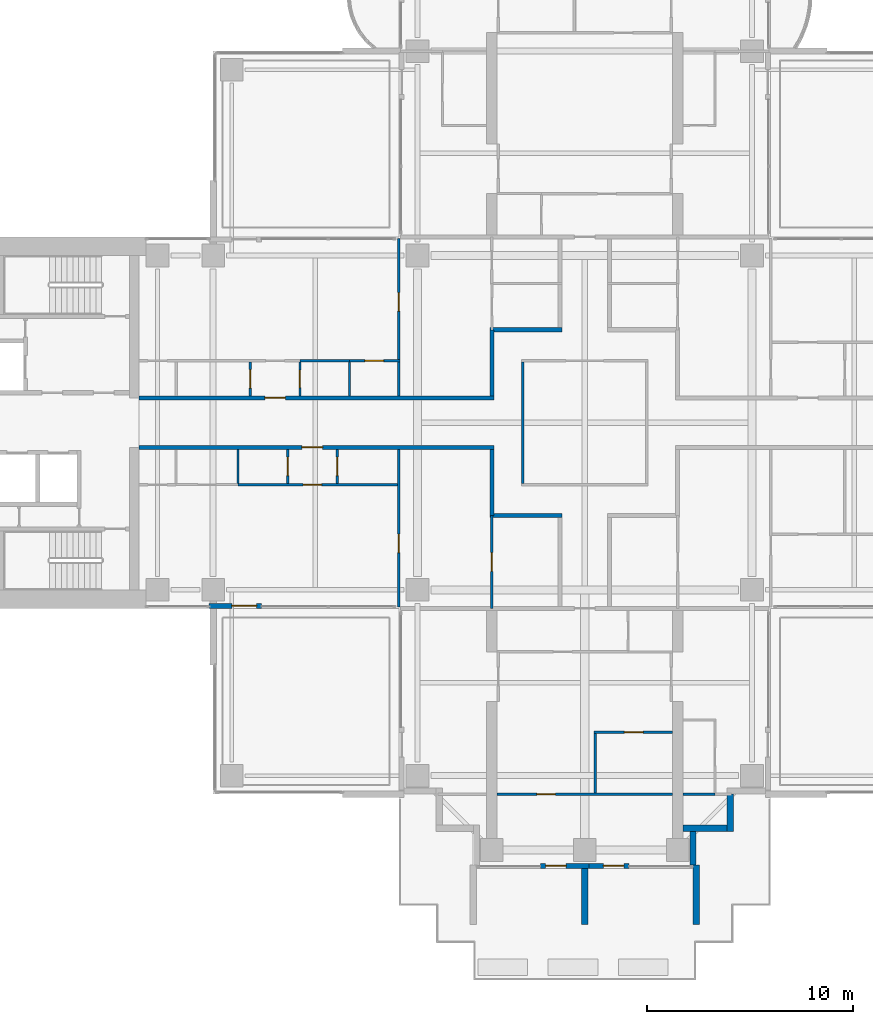
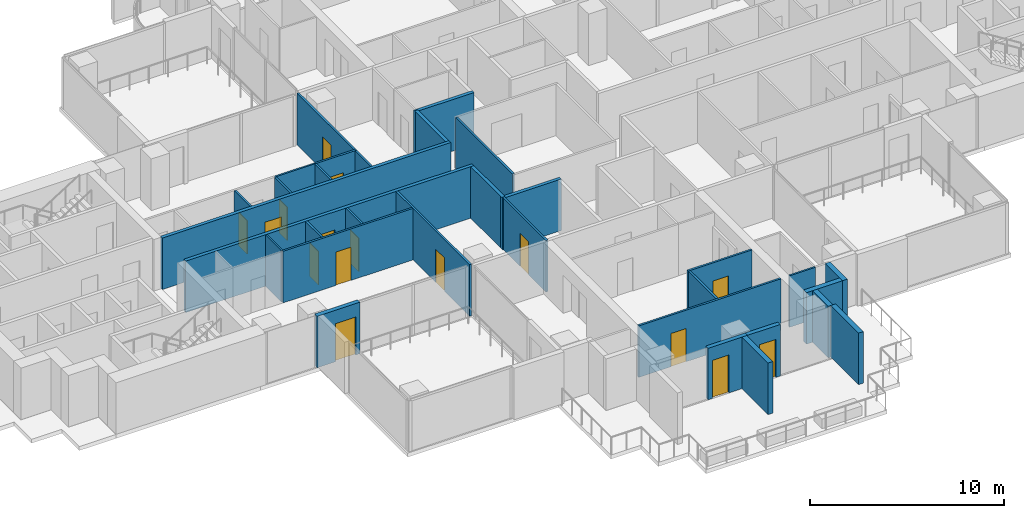
# One storey, part 11 of 20: 31 walls, 16 doors, 16 openings.
"""IFC4 building model written with IfcOpenShell, lengths in metres."""

import ifcopenshell
import ifcopenshell.guid

model = None  # the IFC model being written
_history = None  # IfcOwnerHistory: only IFC2X3 demands one
_inside = {}  # id of a spatial element -> (the spatial element, [elements in it])
_under = {}  # id of a project, library or spatial element -> (it, [spatial elements below it])
_declared = {}  # id of a project -> (the project, [libraries it declares])
_typed = {}  # id of a type object -> (the type object, [elements of that type])
_made_of = {}  # id of a material, layer set ... -> (it, [elements and type objects made of it])


def new_model(schema):
    """Start an empty IFC model of exactly this schema.

    Asked for "IFC4X3", IfcOpenShell would pick the latest addendum, in which some entities
    have other attributes; the version numbers below select the first issue.
    IFC2X3 requires an IfcOwnerHistory on every rooted entity: one is made here for all.
    """
    global model, _history
    if schema == "IFC4X3":
        model = ifcopenshell.file(schema_version=(4, 3, 0, 0))
    else:
        model = ifcopenshell.file(schema=schema)
    _inside.clear()
    _under.clear()
    _declared.clear()
    _typed.clear()
    _made_of.clear()
    _history = None
    if model.schema == "IFC2X3":
        org = make("IfcOrganization", Name="unknown")
        user = make(
            "IfcPersonAndOrganization",
            ThePerson=make("IfcPerson", FamilyName="unknown"),
            TheOrganization=org,
        )
        app = make(
            "IfcApplication",
            ApplicationDeveloper=org,
            Version="unknown",
            ApplicationFullName="unknown",
            ApplicationIdentifier="unknown",
        )
        _history = make(
            "IfcOwnerHistory",
            OwningUser=user,
            OwningApplication=app,
            ChangeAction="ADDED",
            CreationDate=0,
        )
    return model


def make(cls, **values):
    """One entity of the class cls with the attributes given. An attribute that is None is left unset."""
    return model.create_entity(
        cls, **{name: value for name, value in values.items() if value is not None}
    )


def rooted(cls, **values):
    """An entity with a GlobalId (a new one), such as an element, a storey or a relation."""
    return make(cls, GlobalId=ifcopenshell.guid.new(), OwnerHistory=_history, **values)


def si_unit(unit_type, name, prefix=None):
    """IfcSIUnit, for example si_unit("LENGTHUNIT", "METRE", prefix="MILLI")."""
    return make("IfcSIUnit", UnitType=unit_type, Prefix=prefix, Name=name)


def assignment(units):
    """IfcUnitAssignment: the units of a project."""
    return None if units is None else make("IfcUnitAssignment", Units=units)


def point(xyz):
    """IfcCartesianPoint."""
    return None if xyz is None else make("IfcCartesianPoint", Coordinates=xyz)


def direction(xyz):
    """IfcDirection."""
    return None if xyz is None else make("IfcDirection", DirectionRatios=xyz)


def frame(location, z_axis=None, x_axis=None):
    """IfcAxis2Placement3D, a coordinate frame: its origin and axes. An axis left out is left unset."""
    return make(
        "IfcAxis2Placement3D",
        Location=point(location),
        Axis=direction(z_axis),
        RefDirection=direction(x_axis),
    )


def frame_2d(location, x_axis=None):
    """IfcAxis2Placement2D, a coordinate frame in the plane: its origin and x axis."""
    return make(
        "IfcAxis2Placement2D", Location=point(location), RefDirection=direction(x_axis)
    )


def origin():
    """The frame at (0, 0, 0) with its axes left unset."""
    return frame((0.0, 0.0, 0.0))


def place(relative_to, where):
    """IfcLocalPlacement: puts the frame where relative to a parent placement (None: the world)."""
    return make(
        "IfcLocalPlacement", PlacementRelTo=relative_to, RelativePlacement=where
    )


def context(
    kind, dimensions, precision=None, world=None, true_north=None, identifier=None
):
    """IfcGeometricRepresentationContext, for example the 3D "Model" context."""
    return make(
        "IfcGeometricRepresentationContext",
        ContextIdentifier=identifier,
        ContextType=kind,
        CoordinateSpaceDimension=dimensions,
        Precision=precision,
        WorldCoordinateSystem=world,
        TrueNorth=true_north,
    )


def subcontext(parent, identifier, kind, view, scale=None):
    """IfcGeometricRepresentationSubContext, for example "Body" below "Model"."""
    return make(
        "IfcGeometricRepresentationSubContext",
        ContextIdentifier=identifier,
        ContextType=kind,
        ParentContext=parent,
        TargetScale=scale,
        TargetView=view,
    )


def project(units=None, contexts=None):
    """IfcProject with its units and contexts."""
    return rooted(
        "IfcProject",
        Name="project",
        RepresentationContexts=contexts,
        UnitsInContext=assignment(units),
    )


def spatial(cls, under=None, at=None, **own):
    """A site, building, storey or space (cls), placed at a placement, below another one or the project."""
    s = rooted(cls, ObjectPlacement=at, **own)
    if under is not None:
        _under.setdefault(under.id(), (under, []))[1].append(s)
    return s


def profile(cls, at=None, kind="AREA", **sizes):
    """A parametric profile (cls). Its sizes go by their IFC names, for example OverallWidth=200.0."""
    return make(cls, ProfileType=kind, Position=at, **sizes)


def rectangle(**sizes):
    """IfcRectangleProfileDef."""
    return profile("IfcRectangleProfileDef", **sizes)


def extrude(swept, where, along, depth):
    """IfcExtrudedAreaSolid: the profile swept, set in the frame where, extruded along a direction by depth."""
    return make(
        "IfcExtrudedAreaSolid",
        SweptArea=swept,
        Position=where,
        ExtrudedDirection=direction(along),
        Depth=depth,
    )


def shape(context_of_items, identifier, shape_type, items):
    """IfcShapeRepresentation: the items that make up one representation, for example the "Body"."""
    return make(
        "IfcShapeRepresentation",
        ContextOfItems=context_of_items,
        RepresentationIdentifier=identifier,
        RepresentationType=shape_type,
        Items=items,
    )


def material(Name=None, Category=None):
    """IfcMaterial."""
    return make("IfcMaterial", Name=Name, Category=Category)


def layer(
    of_material, thickness, ventilated=None, Name=None, Category=None, Priority=None
):
    """IfcMaterialLayer: one layer of a wall or slab, of a material (None: an air gap)."""
    return make(
        "IfcMaterialLayer",
        Material=of_material,
        LayerThickness=thickness,
        IsVentilated=ventilated,
        Name=Name,
        Category=Category,
        Priority=Priority,
    )


def layer_set(layers, Name=None):
    """IfcMaterialLayerSet."""
    return make("IfcMaterialLayerSet", MaterialLayers=layers, LayerSetName=Name)


def made_of(thing, what):
    """Note that an element or type object is made of a material, layer set ...; save() writes the relation."""
    if what is not None:
        _made_of.setdefault(what.id(), (what, []))[1].append(thing)
    return thing


def type_object(cls, material=None, **own):
    """A type object (cls), such as IfcWallType, which elements share."""
    return made_of(rooted(cls, **own), material)


def element(
    cls,
    number,
    at=None,
    inside=None,
    cuts=None,
    type_object=None,
    material=None,
    context=None,
    identifier="Body",
    shape_type=None,
    held_by="IfcProductDefinitionShape",
    body=None,
    shapes=None,
    **own,
):
    """One element of the class cls, such as IfcWall. Its Tag is "e" and its number.

    at: its placement. inside: the storey or other place that contains it. cuts: it is an
    opening in that element (IfcRelVoidsElement). A single representation is given by context,
    identifier, shape_type and body (its items); several are given by shapes. held_by: the class
    of the entity that holds the representations. save() writes the other relations.
    """
    e = rooted(cls, Tag="e%d" % number, ObjectPlacement=at, **own)
    if body is not None:
        shapes = [shape(context, identifier, shape_type, body)]
    if shapes is not None:
        e.Representation = make(held_by, Representations=shapes)
    if inside is not None:
        _inside.setdefault(inside.id(), (inside, []))[1].append(e)
    if cuts is not None:
        rooted(
            "IfcRelVoidsElement", RelatingBuildingElement=cuts, RelatedOpeningElement=e
        )
    if type_object is not None:
        _typed.setdefault(type_object.id(), (type_object, []))[1].append(e)
    return made_of(e, material)


def fill(opening, filler):
    """IfcRelFillsElement: the door or window that sits in an opening."""
    return rooted(
        "IfcRelFillsElement",
        RelatingOpeningElement=opening,
        RelatedBuildingElement=filler,
    )


def aggregate(whole, parts):
    """IfcRelAggregates: a whole, such as a stair, and the parts it consists of."""
    return rooted("IfcRelAggregates", RelatingObject=whole, RelatedObjects=parts)


def save(model, path):
    """Write the relations noted so far, then the file.

    IfcRelAggregates (storeys below a building ...), IfcRelContainedInSpatialStructure (elements
    in a storey), IfcRelDefinesByType, IfcRelAssociatesMaterial and IfcRelDeclares: one each for
    every whole, place, type object, material and project.
    """
    for whole, parts in _under.values():
        aggregate(whole, parts)
    for where, things in _inside.values():
        rooted(
            "IfcRelContainedInSpatialStructure",
            RelatedElements=things,
            RelatingStructure=where,
        )
    for kind, things in _typed.values():
        rooted("IfcRelDefinesByType", RelatedObjects=things, RelatingType=kind)
    for what, things in _made_of.values():
        rooted("IfcRelAssociatesMaterial", RelatedObjects=things, RelatingMaterial=what)
    for by, libraries in _declared.values():
        rooted("IfcRelDeclares", RelatingContext=by, RelatedDefinitions=libraries)
    model.write(path)


model = new_model("IFC4")

# Units and contexts
model_context = context("Model", 3, precision=1e-05, world=origin(), true_north=direction((0.0, 1.0)))
body_context = subcontext(model_context, "Body", "Model", "MODEL_VIEW")
ifc_project = project(units=[si_unit("LENGTHUNIT", "METRE"), si_unit("AREAUNIT", "SQUARE_METRE"), si_unit("VOLUMEUNIT", "CUBIC_METRE"), si_unit("PLANEANGLEUNIT", "RADIAN"), si_unit("MASSUNIT", "GRAM", prefix="KILO")], contexts=[model_context])

# Site, building, storey
site_placement = place(None, origin())
site = spatial("IfcSite", under=ifc_project, at=site_placement, CompositionType="ELEMENT")
building_placement = place(site_placement, origin())
building = spatial("IfcBuilding", under=site, at=building_placement, Name="Perihelion Cross Residences", CompositionType="ELEMENT")
storey_placement = place(building_placement, frame((0.0, 0.0, 102.39990234375)))
storey = spatial("IfcBuildingStorey", under=building, at=storey_placement, Name="L23", CompositionType="ELEMENT", Elevation=102.39990234375)

# Wall, opening, door
ifc_material_1 = material(Name="Plasterboard partition")
ifc_layer_1 = layer(ifc_material_1, 0.199951171875)
ifc_layer_set_1 = layer_set([ifc_layer_1], Name="Apartment separation wall 200")
wall_type_1 = type_object("IfcWallType", Name="Apartment separation wall 200", PredefinedType="PARTITIONING", material=ifc_layer_set_1)
wall_1_placement = place(storey_placement, frame((-21.60009765625, 1.199951171875, 0.0), z_axis=(0.0, 0.0, 1.0), x_axis=(1.0, 0.0, 0.0)))
wall_1 = element("IfcWall", 1, at=wall_1_placement, inside=storey, type_object=wall_type_1, Name="Partition L23 W013", PredefinedType="PARTITIONING", context=body_context, shape_type="SweptSolid", body=[
    extrude(rectangle(XDim=17.2001953125, YDim=0.199951171875, at=frame_2d((8.60009765625, 0.0))), origin(), (0.0, 0.0, 1.0), 3.25),
])
opening_1_placement = place(wall_1_placement, frame((6.10009765625, 0.0, 0.0)))
opening_1 = element("IfcOpeningElement", 2, at=opening_1_placement, cuts=wall_1, Name="Opening L23.A48", PredefinedType="OPENING", context=body_context, shape_type="SweptSolid", body=[
    extrude(rectangle(XDim=1.0, YDim=2.10009765625, at=frame_2d((0.5, 1.050048828125))), frame((0.0, 0.10986328125, 0.0), z_axis=(0.0, -1.0, 0.0), x_axis=(1.0, 0.0, 0.0)), (0.0, 0.0, 1.0), 0.219970703125),
])
ifc_material_2 = material(Name="Timber door leaf", Category="wood")
door_type_1 = type_object("IfcDoorType", Name="Flat entrance door 1000 x 2100", OperationType="SINGLE_SWING_LEFT", PredefinedType="DOOR", material=ifc_material_2)
door_1_placement = place(opening_1_placement, origin())
door_1 = element("IfcDoor", 3, at=door_1_placement, inside=storey, type_object=door_type_1, Name="Door L23.A48", OperationType="SINGLE_SWING_RIGHT", OverallHeight=2.10009765625, OverallWidth=1.0, PredefinedType="DOOR", context=body_context, shape_type="SweptSolid", body=[
    extrude(rectangle(XDim=1.0, YDim=2.10009765625, at=frame_2d((0.5, 1.050048828125))), frame((0.0, 0.02490234375, 0.0), z_axis=(0.0, -1.0, 0.0), x_axis=(1.0, 0.0, 0.0)), (0.0, 0.0, 1.0), 0.050048828125),
])
fill(opening_1, door_1)

# Walls
wall_2_placement = place(storey_placement, frame((-4.5, 1.300048828125, 0.0), z_axis=(0.0, 0.0, 1.0), x_axis=(0.0, 1.0, 0.0)))
element("IfcWall", 4, at=wall_2_placement, inside=storey, type_object=wall_type_1, Name="Partition L23 W014", PredefinedType="PARTITIONING", context=body_context, shape_type="SweptSolid", body=[
    extrude(rectangle(XDim=3.199951171875, YDim=0.199951171875, at=frame_2d((1.60009765625, 0.0))), origin(), (0.0, 0.0, 1.0), 3.25),
])
wall_3_placement = place(storey_placement, frame((-4.60009765625, 4.5, 0.0), z_axis=(0.0, 0.0, 1.0), x_axis=(1.0, 0.0, 0.0)))
element("IfcWall", 5, at=wall_3_placement, inside=storey, type_object=wall_type_1, Name="Partition L23 W015", PredefinedType="PARTITIONING", context=body_context, shape_type="SweptSolid", body=[
    extrude(rectangle(XDim=3.5, YDim=0.199951171875, at=frame_2d((1.75, 0.0))), origin(), (0.0, 0.0, 1.0), 3.25),
])

# Wall, opening, door
wall_4_placement = place(storey_placement, frame((-4.39990234375, -1.199951171875, 0.0), z_axis=(0.0, 0.0, 1.0), x_axis=(-1.0, 0.0, 0.0)))
wall_4 = element("IfcWall", 6, at=wall_4_placement, inside=storey, type_object=wall_type_1, Name="Partition L23 W017", PredefinedType="PARTITIONING", context=body_context, shape_type="SweptSolid", body=[
    extrude(rectangle(XDim=17.2001953125, YDim=0.199951171875, at=frame_2d((8.60009765625, 0.0))), origin(), (0.0, 0.0, 1.0), 3.25),
])
opening_2_placement = place(wall_4_placement, frame((8.300048828125, 0.0, 0.0)))
opening_2 = element("IfcOpeningElement", 7, at=opening_2_placement, cuts=wall_4, Name="Opening L23.A49", PredefinedType="OPENING", context=body_context, shape_type="SweptSolid", body=[
    extrude(rectangle(XDim=1.0, YDim=2.10009765625, at=frame_2d((0.5, 1.050048828125))), frame((0.0, 0.10986328125, 0.0), z_axis=(0.0, -1.0, 0.0), x_axis=(1.0, 0.0, 0.0)), (0.0, 0.0, 1.0), 0.219970703125),
])
door_2_placement = place(opening_2_placement, origin())
door_2 = element("IfcDoor", 8, at=door_2_placement, inside=storey, type_object=door_type_1, Name="Door L23.A49", OperationType="SINGLE_SWING_RIGHT", OverallHeight=2.10009765625, OverallWidth=1.0, PredefinedType="DOOR", context=body_context, shape_type="SweptSolid", body=[
    extrude(rectangle(XDim=1.0, YDim=2.10009765625, at=frame_2d((0.5, 1.050048828125))), frame((0.0, 0.02490234375, 0.0), z_axis=(0.0, -1.0, 0.0), x_axis=(1.0, 0.0, 0.0)), (0.0, 0.0, 1.0), 0.050048828125),
])
fill(opening_2, door_2)

# Walls
wall_5_placement = place(storey_placement, frame((-4.5, -4.5, 0.0), z_axis=(0.0, 0.0, 1.0), x_axis=(0.0, 1.0, 0.0)))
element("IfcWall", 9, at=wall_5_placement, inside=storey, type_object=wall_type_1, Name="Partition L23 W018", PredefinedType="PARTITIONING", context=body_context, shape_type="SweptSolid", body=[
    extrude(rectangle(XDim=3.199951171875, YDim=0.199951171875, at=frame_2d((1.60009765625, 0.0))), origin(), (0.0, 0.0, 1.0), 3.25),
])
wall_6_placement = place(storey_placement, frame((-1.10009765625, -4.5, 0.0), z_axis=(0.0, 0.0, 1.0), x_axis=(-1.0, 0.0, 0.0)))
element("IfcWall", 10, at=wall_6_placement, inside=storey, type_object=wall_type_1, Name="Partition L23 W020", PredefinedType="PARTITIONING", context=body_context, shape_type="SweptSolid", body=[
    extrude(rectangle(XDim=3.5, YDim=0.199951171875, at=frame_2d((1.75, 0.0))), origin(), (0.0, 0.0, 1.0), 3.25),
])

# Wall, opening, door
ifc_material_3 = material(Name="Concrete C30/37, bronze-clad", Category="concrete")
ifc_layer_2 = layer(ifc_material_3, 0.25)
ifc_layer_set_2 = layer_set([ifc_layer_2], Name="Bronze-clad pier wall 250")
wall_type_2 = type_object("IfcWallType", Name="Bronze-clad pier wall 250", PredefinedType="SOLIDWALL", material=ifc_layer_set_2)
wall_7_placement = place(storey_placement, frame((-18.199951171875, -8.875, 0.0), z_axis=(0.0, 0.0, 1.0), x_axis=(1.0, 0.0, 0.0)))
wall_7 = element("IfcWall", 11, at=wall_7_placement, inside=storey, type_object=wall_type_2, Name="Wall FW1 L23 west side south bay 2 pier", PredefinedType="SOLIDWALL", context=body_context, shape_type="SweptSolid", body=[
    extrude(rectangle(XDim=2.550048828125, YDim=0.25, at=frame_2d((1.27490234375, 0.0))), origin(), (0.0, 0.0, 1.0), 3.25),
])
opening_3_placement = place(wall_7_placement, frame((1.10009765625, 0.0, 0.0)))
opening_3 = element("IfcOpeningElement", 12, at=opening_3_placement, cuts=wall_7, Name="Opening L23.E09", PredefinedType="OPENING", context=body_context, shape_type="SweptSolid", body=[
    extrude(rectangle(XDim=1.199951171875, YDim=2.39990234375, at=frame_2d((0.60009765625, 1.199951171875))), frame((0.0, 0.135009765625, 0.0), z_axis=(0.0, -1.0, 0.0), x_axis=(1.0, 0.0, 0.0)), (0.0, 0.0, 1.0), 0.27001953125),
])
ifc_material_4 = material(Name="Bronze anodised aluminium, glazed", Category="aluminium")
door_type_2 = type_object("IfcDoorType", Name="Balcony door 1200 x 2400", OperationType="NOTDEFINED", PredefinedType="DOOR", material=ifc_material_4)
door_3_placement = place(opening_3_placement, origin())
door_3 = element("IfcDoor", 13, at=door_3_placement, inside=storey, type_object=door_type_2, Name="Door L23.E09 west side south bay 2", OperationType="SINGLE_SWING_RIGHT", OverallHeight=2.39990234375, OverallWidth=1.199951171875, PredefinedType="DOOR", context=body_context, shape_type="SweptSolid", body=[
    extrude(rectangle(XDim=1.199951171875, YDim=2.39990234375, at=frame_2d((0.60009765625, 1.199951171875))), frame((0.0, 0.02490234375, 0.0), z_axis=(0.0, -1.0, 0.0), x_axis=(1.0, 0.0, 0.0)), (0.0, 0.0, 1.0), 0.050048828125),
])
fill(opening_3, door_3)

wall_8_placement = place(storey_placement, frame((-2.14990234375, -21.47509765625, 0.0), z_axis=(0.0, 0.0, 1.0), x_axis=(1.0, 0.0, 0.0)))
wall_8 = element("IfcWall", 14, at=wall_8_placement, inside=storey, type_object=wall_type_2, Name="Wall FW1 L23 south tip south bay 1 pier", PredefinedType="SOLIDWALL", context=body_context, shape_type="SweptSolid", body=[
    extrude(rectangle(XDim=2.349853515625, YDim=0.25, at=frame_2d((1.1748046875, 0.0))), origin(), (0.0, 0.0, 1.0), 3.25),
])
opening_4_placement = place(wall_8_placement, frame((0.25, 0.0, 0.0)))
opening_4 = element("IfcOpeningElement", 15, at=opening_4_placement, cuts=wall_8, Name="Opening L23.E11", PredefinedType="OPENING", context=body_context, shape_type="SweptSolid", body=[
    extrude(rectangle(XDim=1.0, YDim=2.39990234375, at=frame_2d((0.5, 1.199951171875))), frame((0.0, 0.135009765625, 0.0), z_axis=(0.0, -1.0, 0.0), x_axis=(1.0, 0.0, 0.0)), (0.0, 0.0, 1.0), 0.27001953125),
])
ifc_material_5 = material(Name="Bronze anodised aluminium, glazed", Category="aluminium")
door_type_3 = type_object("IfcDoorType", Name="Balcony door 1000 x 2400", OperationType="NOTDEFINED", PredefinedType="DOOR", material=ifc_material_5)
door_4_placement = place(opening_4_placement, origin())
door_4 = element("IfcDoor", 16, at=door_4_placement, inside=storey, type_object=door_type_3, Name="Door L23.E11 south tip south bay 1", OperationType="SINGLE_SWING_RIGHT", OverallHeight=2.39990234375, OverallWidth=1.0, PredefinedType="DOOR", context=body_context, shape_type="SweptSolid", body=[
    extrude(rectangle(XDim=1.0, YDim=2.39990234375, at=frame_2d((0.5, 1.199951171875))), frame((0.0, 0.02490234375, 0.0), z_axis=(0.0, -1.0, 0.0), x_axis=(1.0, 0.0, 0.0)), (0.0, 0.0, 1.0), 0.050048828125),
])
fill(opening_4, door_4)

wall_9_placement = place(storey_placement, frame((0.199951171875, -21.47509765625, 0.0), z_axis=(0.0, 0.0, 1.0), x_axis=(1.0, 0.0, 0.0)))
wall_9 = element("IfcWall", 17, at=wall_9_placement, inside=storey, type_object=wall_type_2, Name="Wall FW1 L23 south tip south bay 2 pier", PredefinedType="SOLIDWALL", context=body_context, shape_type="SweptSolid", body=[
    extrude(rectangle(XDim=1.949951171875, YDim=0.25, at=frame_2d((0.97509765625, 0.0))), origin(), (0.0, 0.0, 1.0), 3.25),
])
opening_5_placement = place(wall_9_placement, frame((0.699951171875, 0.0, 0.0)))
opening_5 = element("IfcOpeningElement", 18, at=opening_5_placement, cuts=wall_9, Name="Opening L23.E12", PredefinedType="OPENING", context=body_context, shape_type="SweptSolid", body=[
    extrude(rectangle(XDim=1.0, YDim=2.39990234375, at=frame_2d((0.5, 1.199951171875))), frame((0.0, 0.135009765625, 0.0), z_axis=(0.0, -1.0, 0.0), x_axis=(1.0, 0.0, 0.0)), (0.0, 0.0, 1.0), 0.27001953125),
])
door_5_placement = place(opening_5_placement, origin())
door_5 = element("IfcDoor", 19, at=door_5_placement, inside=storey, type_object=door_type_3, Name="Door L23.E12 south tip south bay 2", OperationType="SINGLE_SWING_LEFT", OverallHeight=2.39990234375, OverallWidth=1.0, PredefinedType="DOOR", context=body_context, shape_type="SweptSolid", body=[
    extrude(rectangle(XDim=1.0, YDim=2.39990234375, at=frame_2d((0.5, 1.199951171875))), frame((0.0, 0.02490234375, 0.0), z_axis=(0.0, -1.0, 0.0), x_axis=(1.0, 0.0, 0.0)), (0.0, 0.0, 1.0), 0.050048828125),
])
fill(opening_5, door_5)

# Walls
ifc_material_6 = material(Name="Concrete C30/37, bronze-clad", Category="concrete")
ifc_layer_3 = layer(ifc_material_6, 0.300048828125)
ifc_layer_set_3 = layer_set([ifc_layer_3], Name="Bronze-clad serration wall 300")
wall_type_3 = type_object("IfcWallType", Name="Bronze-clad serration wall 300", PredefinedType="SOLIDWALL", material=ifc_layer_set_3)
wall_10_placement = place(storey_placement, frame((5.25, -21.419921875, 0.0), z_axis=(0.0, 0.0, 1.0), x_axis=(0.0, 1.0, 0.0)))
element("IfcWall", 20, at=wall_10_placement, inside=storey, type_object=wall_type_3, Name="Wall SR1 L23 south corner south-east 1", PredefinedType="SOLIDWALL", context=body_context, shape_type="SweptSolid", body=[
    extrude(rectangle(XDim=1.619873046875, YDim=0.300048828125, at=frame_2d((0.81005859375, 0.0))), origin(), (0.0, 0.0, 1.0), 3.25),
])
wall_11_placement = place(storey_placement, frame((4.75, -19.64990234375, 0.0), z_axis=(0.0, 0.0, 1.0), x_axis=(1.0, 0.0, 0.0)))
element("IfcWall", 21, at=wall_11_placement, inside=storey, type_object=wall_type_3, Name="Wall SR1 L23 south corner south-east 2", PredefinedType="SOLIDWALL", context=body_context, shape_type="SweptSolid", body=[
    extrude(rectangle(XDim=2.14990234375, YDim=0.300048828125, at=frame_2d((1.074951171875, 0.0))), origin(), (0.0, 0.0, 1.0), 3.25),
])
wall_12_placement = place(storey_placement, frame((7.050048828125, -19.800048828125, 0.0), z_axis=(0.0, 0.0, 1.0), x_axis=(0.0, 1.0, 0.0)))
element("IfcWall", 22, at=wall_12_placement, inside=storey, type_object=wall_type_3, Name="Wall SR1 L23 south corner south-east 3", PredefinedType="SOLIDWALL", context=body_context, shape_type="SweptSolid", body=[
    extrude(rectangle(XDim=1.800048828125, YDim=0.300048828125, at=frame_2d((0.89990234375, 0.0))), origin(), (0.0, 0.0, 1.0), 3.25),
])
ifc_material_7 = material(Name="Plasterboard partition")
ifc_layer_4 = layer(ifc_material_7, 0.1201171875)
ifc_layer_set_4 = layer_set([ifc_layer_4], Name="Partition wall 120")
wall_type_4 = type_object("IfcWallType", Name="Partition wall 120", PredefinedType="PARTITIONING", material=ifc_layer_set_4)
wall_13_placement = place(storey_placement, frame((-3.0, 2.93994140625, 0.0), z_axis=(0.0, 0.0, 1.0), x_axis=(0.0, -1.0, 0.0)))
element("IfcWall", 23, at=wall_13_placement, inside=storey, type_object=wall_type_4, Name="Partition L23 W004", PredefinedType="PARTITIONING", context=body_context, shape_type="SweptSolid", body=[
    extrude(rectangle(XDim=5.8798828125, YDim=0.1201171875, at=frame_2d((2.93994140625, 0.0))), origin(), (0.0, 0.0, 1.0), 3.25),
])

# Wall, opening, door
wall_14_placement = place(storey_placement, frame((-11.39990234375, 3.0, 0.0), z_axis=(0.0, 0.0, 1.0), x_axis=(1.0, 0.0, 0.0)))
wall_14 = element("IfcWall", 24, at=wall_14_placement, inside=storey, type_object=wall_type_4, Name="Partition L23 W043", PredefinedType="PARTITIONING", context=body_context, shape_type="SweptSolid", body=[
    extrude(rectangle(XDim=2.4599609375, YDim=0.1201171875, at=frame_2d((1.22998046875, 0.0))), origin(), (0.0, 0.0, 1.0), 3.25),
])
opening_6_placement = place(wall_14_placement, frame((0.75, 0.0, 0.0)))
opening_6 = element("IfcOpeningElement", 25, at=opening_6_placement, cuts=wall_14, Name="Opening L23.A24", PredefinedType="OPENING", context=body_context, shape_type="SweptSolid", body=[
    extrude(rectangle(XDim=0.89990234375, YDim=2.10009765625, at=frame_2d((0.449951171875, 1.050048828125))), frame((0.0, 0.070068359375, 0.0), z_axis=(0.0, -1.0, 0.0), x_axis=(1.0, 0.0, 0.0)), (0.0, 0.0, 1.0), 0.14013671875),
])
ifc_material_8 = material(Name="Timber door leaf", Category="wood")
door_type_4 = type_object("IfcDoorType", Name="Interior room door 900 x 2100", OperationType="SINGLE_SWING_LEFT", PredefinedType="DOOR", material=ifc_material_8)
door_6_placement = place(opening_6_placement, origin())
door_6 = element("IfcDoor", 26, at=door_6_placement, inside=storey, type_object=door_type_4, Name="Door L23.A24", OperationType="SINGLE_SWING_RIGHT", OverallHeight=2.10009765625, OverallWidth=0.89990234375, PredefinedType="DOOR", context=body_context, shape_type="SweptSolid", body=[
    extrude(rectangle(XDim=0.89990234375, YDim=2.10009765625, at=frame_2d((0.449951171875, 1.050048828125))), frame((0.0, 0.02490234375, 0.0), z_axis=(0.0, -1.0, 0.0), x_axis=(1.0, 0.0, 0.0)), (0.0, 0.0, 1.0), 0.050048828125),
])
fill(opening_6, door_6)

wall_15_placement = place(storey_placement, frame((-9.0, 8.919921875, 0.0), z_axis=(0.0, 0.0, 1.0), x_axis=(0.0, -1.0, 0.0)))
wall_15 = element("IfcWall", 27, at=wall_15_placement, inside=storey, type_object=wall_type_4, Name="Partition L23 W044", PredefinedType="PARTITIONING", context=body_context, shape_type="SweptSolid", body=[
    extrude(rectangle(XDim=7.619873046875, YDim=0.1201171875, at=frame_2d((3.81005859375, 0.0))), origin(), (0.0, 0.0, 1.0), 3.25),
])
opening_7_placement = place(wall_15_placement, frame((2.6201171875, 0.0, 0.0)))
opening_7 = element("IfcOpeningElement", 28, at=opening_7_placement, cuts=wall_15, Name="Opening L23.A19", PredefinedType="OPENING", context=body_context, shape_type="SweptSolid", body=[
    extrude(rectangle(XDim=0.89990234375, YDim=2.10009765625, at=frame_2d((0.449951171875, 1.050048828125))), frame((0.0, 0.070068359375, 0.0), z_axis=(0.0, -1.0, 0.0), x_axis=(1.0, 0.0, 0.0)), (0.0, 0.0, 1.0), 0.14013671875),
])
door_7_placement = place(opening_7_placement, origin())
door_7 = element("IfcDoor", 29, at=door_7_placement, inside=storey, type_object=door_type_4, Name="Door L23.A19", OperationType="SINGLE_SWING_LEFT", OverallHeight=2.10009765625, OverallWidth=0.89990234375, PredefinedType="DOOR", context=body_context, shape_type="SweptSolid", body=[
    extrude(rectangle(XDim=0.89990234375, YDim=2.10009765625, at=frame_2d((0.449951171875, 1.050048828125))), frame((0.0, 0.02490234375, 0.0), z_axis=(0.0, -1.0, 0.0), x_axis=(1.0, 0.0, 0.0)), (0.0, 0.0, 1.0), 0.050048828125),
])
fill(opening_7, door_7)

wall_16_placement = place(storey_placement, frame((-16.199951171875, 1.300048828125, 0.0), z_axis=(0.0, 0.0, 1.0), x_axis=(0.0, 1.0, 0.0)))
wall_16 = element("IfcWall", 30, at=wall_16_placement, inside=storey, type_object=wall_type_4, Name="Partition L23 W047", PredefinedType="PARTITIONING", context=body_context, shape_type="SweptSolid", body=[
    extrude(rectangle(XDim=1.639892578125, YDim=0.1201171875, at=frame_2d((0.81982421875, 0.0))), origin(), (0.0, 0.0, 1.0), 3.25),
])
opening_8_placement = place(wall_16_placement, frame((0.3701171875, 0.0, 0.0)))
opening_8 = element("IfcOpeningElement", 31, at=opening_8_placement, cuts=wall_16, Name="Opening L23.A20", PredefinedType="OPENING", context=body_context, shape_type="SweptSolid", body=[
    extrude(rectangle(XDim=0.89990234375, YDim=2.10009765625, at=frame_2d((0.449951171875, 1.050048828125))), frame((0.0, 0.070068359375, 0.0), z_axis=(0.0, -1.0, 0.0), x_axis=(1.0, 0.0, 0.0)), (0.0, 0.0, 1.0), 0.14013671875),
])
door_8_placement = place(opening_8_placement, origin())
door_8 = element("IfcDoor", 32, at=door_8_placement, inside=storey, type_object=door_type_4, Name="Door L23.A20", OperationType="SINGLE_SWING_LEFT", OverallHeight=2.10009765625, OverallWidth=0.89990234375, PredefinedType="DOOR", context=body_context, shape_type="SweptSolid", body=[
    extrude(rectangle(XDim=0.89990234375, YDim=2.10009765625, at=frame_2d((0.449951171875, 1.050048828125))), frame((0.0, 0.02490234375, 0.0), z_axis=(0.0, -1.0, 0.0), x_axis=(1.0, 0.0, 0.0)), (0.0, 0.0, 1.0), 0.050048828125),
])
fill(opening_8, door_8)

wall_17_placement = place(storey_placement, frame((-12.0, -2.93994140625, 0.0), z_axis=(0.0, 0.0, 1.0), x_axis=(0.0, 1.0, 0.0)))
wall_17 = element("IfcWall", 33, at=wall_17_placement, inside=storey, type_object=wall_type_4, Name="Partition L23 W053", PredefinedType="PARTITIONING", context=body_context, shape_type="SweptSolid", body=[
    extrude(rectangle(XDim=1.639892578125, YDim=0.1201171875, at=frame_2d((0.81982421875, 0.0))), origin(), (0.0, 0.0, 1.0), 3.25),
])
opening_9_placement = place(wall_17_placement, frame((0.3701171875, 0.0, 0.0)))
opening_9 = element("IfcOpeningElement", 34, at=opening_9_placement, cuts=wall_17, Name="Opening L23.A27", PredefinedType="OPENING", context=body_context, shape_type="SweptSolid", body=[
    extrude(rectangle(XDim=0.89990234375, YDim=2.10009765625, at=frame_2d((0.449951171875, 1.050048828125))), frame((0.0, 0.070068359375, 0.0), z_axis=(0.0, -1.0, 0.0), x_axis=(1.0, 0.0, 0.0)), (0.0, 0.0, 1.0), 0.14013671875),
])
door_9_placement = place(opening_9_placement, origin())
door_9 = element("IfcDoor", 35, at=door_9_placement, inside=storey, type_object=door_type_4, Name="Door L23.A27", OperationType="SINGLE_SWING_RIGHT", OverallHeight=2.10009765625, OverallWidth=0.89990234375, PredefinedType="DOOR", context=body_context, shape_type="SweptSolid", body=[
    extrude(rectangle(XDim=0.89990234375, YDim=2.10009765625, at=frame_2d((0.449951171875, 1.050048828125))), frame((0.0, 0.02490234375, 0.0), z_axis=(0.0, -1.0, 0.0), x_axis=(1.0, 0.0, 0.0)), (0.0, 0.0, 1.0), 0.050048828125),
])
fill(opening_9, door_9)

wall_18_placement = place(storey_placement, frame((-8.93994140625, -3.0, 0.0), z_axis=(0.0, 0.0, 1.0), x_axis=(-1.0, 0.0, 0.0)))
wall_18 = element("IfcWall", 36, at=wall_18_placement, inside=storey, type_object=wall_type_4, Name="Partition L23 W054", PredefinedType="PARTITIONING", context=body_context, shape_type="SweptSolid", body=[
    extrude(rectangle(XDim=7.860107421875, YDim=0.1201171875, at=frame_2d((3.93017578125, 0.0))), origin(), (0.0, 0.0, 1.0), 3.25),
])
opening_10_placement = place(wall_18_placement, frame((3.81005859375, 0.0, 0.0)))
opening_10 = element("IfcOpeningElement", 37, at=opening_10_placement, cuts=wall_18, Name="Opening L23.A29", PredefinedType="OPENING", context=body_context, shape_type="SweptSolid", body=[
    extrude(rectangle(XDim=0.89990234375, YDim=2.10009765625, at=frame_2d((0.449951171875, 1.050048828125))), frame((0.0, 0.070068359375, 0.0), z_axis=(0.0, -1.0, 0.0), x_axis=(1.0, 0.0, 0.0)), (0.0, 0.0, 1.0), 0.14013671875),
])
door_10_placement = place(opening_10_placement, origin())
door_10 = element("IfcDoor", 38, at=door_10_placement, inside=storey, type_object=door_type_4, Name="Door L23.A29", OperationType="SINGLE_SWING_RIGHT", OverallHeight=2.10009765625, OverallWidth=0.89990234375, PredefinedType="DOOR", context=body_context, shape_type="SweptSolid", body=[
    extrude(rectangle(XDim=0.89990234375, YDim=2.10009765625, at=frame_2d((0.449951171875, 1.050048828125))), frame((0.0, 0.02490234375, 0.0), z_axis=(0.0, -1.0, 0.0), x_axis=(1.0, 0.0, 0.0)), (0.0, 0.0, 1.0), 0.050048828125),
])
fill(opening_10, door_10)

wall_19_placement = place(storey_placement, frame((-9.0, -1.300048828125, 0.0), z_axis=(0.0, 0.0, 1.0), x_axis=(0.0, -1.0, 0.0)))
wall_19 = element("IfcWall", 39, at=wall_19_placement, inside=storey, type_object=wall_type_4, Name="Partition L23 W055", PredefinedType="PARTITIONING", context=body_context, shape_type="SweptSolid", body=[
    extrude(rectangle(XDim=7.619873046875, YDim=0.1201171875, at=frame_2d((3.81005859375, 0.0))), origin(), (0.0, 0.0, 1.0), 3.25),
])
opening_11_placement = place(wall_19_placement, frame((4.10009765625, 0.0, 0.0)))
opening_11 = element("IfcOpeningElement", 40, at=opening_11_placement, cuts=wall_19, Name="Opening L23.A30", PredefinedType="OPENING", context=body_context, shape_type="SweptSolid", body=[
    extrude(rectangle(XDim=0.89990234375, YDim=2.10009765625, at=frame_2d((0.449951171875, 1.050048828125))), frame((0.0, 0.070068359375, 0.0), z_axis=(0.0, -1.0, 0.0), x_axis=(1.0, 0.0, 0.0)), (0.0, 0.0, 1.0), 0.14013671875),
])
door_11_placement = place(opening_11_placement, origin())
door_11 = element("IfcDoor", 41, at=door_11_placement, inside=storey, type_object=door_type_4, Name="Door L23.A30", OperationType="SINGLE_SWING_RIGHT", OverallHeight=2.10009765625, OverallWidth=0.89990234375, PredefinedType="DOOR", context=body_context, shape_type="SweptSolid", body=[
    extrude(rectangle(XDim=0.89990234375, YDim=2.10009765625, at=frame_2d((0.449951171875, 1.050048828125))), frame((0.0, 0.02490234375, 0.0), z_axis=(0.0, -1.0, 0.0), x_axis=(1.0, 0.0, 0.0)), (0.0, 0.0, 1.0), 0.050048828125),
])
fill(opening_11, door_11)

wall_20_placement = place(storey_placement, frame((-14.39990234375, -2.93994140625, 0.0), z_axis=(0.0, 0.0, 1.0), x_axis=(0.0, 1.0, 0.0)))
wall_20 = element("IfcWall", 42, at=wall_20_placement, inside=storey, type_object=wall_type_4, Name="Partition L23 W056", PredefinedType="PARTITIONING", context=body_context, shape_type="SweptSolid", body=[
    extrude(rectangle(XDim=1.639892578125, YDim=0.1201171875, at=frame_2d((0.81982421875, 0.0))), origin(), (0.0, 0.0, 1.0), 3.25),
])
opening_12_placement = place(wall_20_placement, frame((0.3701171875, 0.0, 0.0)))
opening_12 = element("IfcOpeningElement", 43, at=opening_12_placement, cuts=wall_20, Name="Opening L23.A31", PredefinedType="OPENING", context=body_context, shape_type="SweptSolid", body=[
    extrude(rectangle(XDim=0.89990234375, YDim=2.10009765625, at=frame_2d((0.449951171875, 1.050048828125))), frame((0.0, 0.070068359375, 0.0), z_axis=(0.0, -1.0, 0.0), x_axis=(1.0, 0.0, 0.0)), (0.0, 0.0, 1.0), 0.14013671875),
])
door_12_placement = place(opening_12_placement, origin())
door_12 = element("IfcDoor", 44, at=door_12_placement, inside=storey, type_object=door_type_4, Name="Door L23.A31", OperationType="SINGLE_SWING_LEFT", OverallHeight=2.10009765625, OverallWidth=0.89990234375, PredefinedType="DOOR", context=body_context, shape_type="SweptSolid", body=[
    extrude(rectangle(XDim=0.89990234375, YDim=2.10009765625, at=frame_2d((0.449951171875, 1.050048828125))), frame((0.0, 0.02490234375, 0.0), z_axis=(0.0, -1.0, 0.0), x_axis=(1.0, 0.0, 0.0)), (0.0, 0.0, 1.0), 0.050048828125),
])
fill(opening_12, door_12)

wall_21_placement = place(storey_placement, frame((-4.5, -4.5, 0.0), z_axis=(0.0, 0.0, 1.0), x_axis=(0.0, -1.0, 0.0)))
wall_21 = element("IfcWall", 45, at=wall_21_placement, inside=storey, type_object=wall_type_4, Name="Partition L23 W061", PredefinedType="PARTITIONING", context=body_context, shape_type="SweptSolid", body=[
    extrude(rectangle(XDim=4.5, YDim=0.1201171875, at=frame_2d((2.25, 0.0))), origin(), (0.0, 0.0, 1.0), 3.25),
])
opening_13_placement = place(wall_21_placement, frame((1.800048828125, 0.0, 0.0)))
opening_13 = element("IfcOpeningElement", 46, at=opening_13_placement, cuts=wall_21, Name="Opening L23.A26", PredefinedType="OPENING", context=body_context, shape_type="SweptSolid", body=[
    extrude(rectangle(XDim=0.89990234375, YDim=2.10009765625, at=frame_2d((0.449951171875, 1.050048828125))), frame((0.0, 0.070068359375, 0.0), z_axis=(0.0, -1.0, 0.0), x_axis=(1.0, 0.0, 0.0)), (0.0, 0.0, 1.0), 0.14013671875),
])
door_13_placement = place(opening_13_placement, origin())
door_13 = element("IfcDoor", 47, at=door_13_placement, inside=storey, type_object=door_type_4, Name="Door L23.A26", OperationType="SINGLE_SWING_RIGHT", OverallHeight=2.10009765625, OverallWidth=0.89990234375, PredefinedType="DOOR", context=body_context, shape_type="SweptSolid", body=[
    extrude(rectangle(XDim=0.89990234375, YDim=2.10009765625, at=frame_2d((0.449951171875, 1.050048828125))), frame((0.0, 0.02490234375, 0.0), z_axis=(0.0, -1.0, 0.0), x_axis=(1.0, 0.0, 0.0)), (0.0, 0.0, 1.0), 0.050048828125),
])
fill(opening_13, door_13)

wall_22_placement = place(storey_placement, frame((4.25, -15.0, 0.0), z_axis=(0.0, 0.0, 1.0), x_axis=(-1.0, 0.0, 0.0)))
wall_22 = element("IfcWall", 48, at=wall_22_placement, inside=storey, type_object=wall_type_4, Name="Partition L23 W081", PredefinedType="PARTITIONING", context=body_context, shape_type="SweptSolid", body=[
    extrude(rectangle(XDim=3.81005859375, YDim=0.1201171875, at=frame_2d((1.905029296875, 0.0))), origin(), (0.0, 0.0, 1.0), 3.25),
])
opening_14_placement = place(wall_22_placement, frame((1.425048828125, 0.0, 0.0)))
opening_14 = element("IfcOpeningElement", 49, at=opening_14_placement, cuts=wall_22, Name="Opening L23.A43", PredefinedType="OPENING", context=body_context, shape_type="SweptSolid", body=[
    extrude(rectangle(XDim=0.89990234375, YDim=2.10009765625, at=frame_2d((0.449951171875, 1.050048828125))), frame((0.0, 0.070068359375, 0.0), z_axis=(0.0, -1.0, 0.0), x_axis=(1.0, 0.0, 0.0)), (0.0, 0.0, 1.0), 0.14013671875),
])
door_14_placement = place(opening_14_placement, origin())
door_14 = element("IfcDoor", 50, at=door_14_placement, inside=storey, type_object=door_type_4, Name="Door L23.A43", OperationType="SINGLE_SWING_RIGHT", OverallHeight=2.10009765625, OverallWidth=0.89990234375, PredefinedType="DOOR", context=body_context, shape_type="SweptSolid", body=[
    extrude(rectangle(XDim=0.89990234375, YDim=2.10009765625, at=frame_2d((0.449951171875, 1.050048828125))), frame((0.0, 0.02490234375, 0.0), z_axis=(0.0, -1.0, 0.0), x_axis=(1.0, 0.0, 0.0)), (0.0, 0.0, 1.0), 0.050048828125),
])
fill(opening_14, door_14)

# Wall
wall_23_placement = place(storey_placement, frame((0.5, -15.06005859375, 0.0), z_axis=(0.0, 0.0, 1.0), x_axis=(0.0, -1.0, 0.0)))
element("IfcWall", 51, at=wall_23_placement, inside=storey, type_object=wall_type_4, Name="Partition L23 W082", PredefinedType="PARTITIONING", context=body_context, shape_type="SweptSolid", body=[
    extrude(rectangle(XDim=2.8798828125, YDim=0.1201171875, at=frame_2d((1.43994140625, 0.0))), origin(), (0.0, 0.0, 1.0), 3.25),
])

# Wall, opening, door
wall_24_placement = place(storey_placement, frame((4.25, -18.0, 0.0), z_axis=(0.0, 0.0, 1.0), x_axis=(-1.0, 0.0, 0.0)))
wall_24 = element("IfcWall", 52, at=wall_24_placement, inside=storey, type_object=wall_type_4, Name="Partition L23 W083", PredefinedType="PARTITIONING", context=body_context, shape_type="SweptSolid", body=[
    extrude(rectangle(XDim=8.5, YDim=0.1201171875, at=frame_2d((4.25, 0.0))), origin(), (0.0, 0.0, 1.0), 3.25),
])
opening_15_placement = place(wall_24_placement, frame((5.675048828125, 0.0, 0.0)))
opening_15 = element("IfcOpeningElement", 53, at=opening_15_placement, cuts=wall_24, Name="Opening L23.A44", PredefinedType="OPENING", context=body_context, shape_type="SweptSolid", body=[
    extrude(rectangle(XDim=0.89990234375, YDim=2.10009765625, at=frame_2d((0.449951171875, 1.050048828125))), frame((0.0, 0.070068359375, 0.0), z_axis=(0.0, -1.0, 0.0), x_axis=(1.0, 0.0, 0.0)), (0.0, 0.0, 1.0), 0.14013671875),
])
door_15_placement = place(opening_15_placement, origin())
door_15 = element("IfcDoor", 54, at=door_15_placement, inside=storey, type_object=door_type_4, Name="Door L23.A44", OperationType="SINGLE_SWING_LEFT", OverallHeight=2.10009765625, OverallWidth=0.89990234375, PredefinedType="DOOR", context=body_context, shape_type="SweptSolid", body=[
    extrude(rectangle(XDim=0.89990234375, YDim=2.10009765625, at=frame_2d((0.449951171875, 1.050048828125))), frame((0.0, 0.02490234375, 0.0), z_axis=(0.0, -1.0, 0.0), x_axis=(1.0, 0.0, 0.0)), (0.0, 0.0, 1.0), 0.050048828125),
])
fill(opening_15, door_15)

# Walls
ifc_material_9 = material(Name="Precast concrete C50/60", Category="concrete")
ifc_layer_5 = layer(ifc_material_9, 0.300048828125)
ifc_layer_set_5 = layer_set([ifc_layer_5], Name="Precast concrete C50/60 blade wall 300")
wall_type_5 = type_object("IfcWallType", Name="Precast concrete C50/60 blade wall 300", PredefinedType="SOLIDWALL", material=ifc_layer_set_5)
wall_25_placement = place(storey_placement, frame((0.0, -21.60009765625, 0.0), z_axis=(0.0, 0.0, 1.0), x_axis=(0.0, -1.0, 0.0)))
element("IfcWall", 55, at=wall_25_placement, inside=storey, type_object=wall_type_5, Name="Wall BL1 L23 no. 8", PredefinedType="SOLIDWALL", context=body_context, shape_type="SweptSolid", body=[
    extrude(rectangle(XDim=2.699951171875, YDim=0.300048828125, at=frame_2d((1.35009765625, 0.0))), origin(), (0.0, 0.0, 1.0), 3.25),
])
wall_26_placement = place(storey_placement, frame((5.39990234375, -21.419921875, 0.0), z_axis=(0.0, 0.0, 1.0), x_axis=(0.0, -1.0, 0.0)))
element("IfcWall", 56, at=wall_26_placement, inside=storey, type_object=wall_type_5, Name="Wall BL1 L23 no. 12", PredefinedType="SOLIDWALL", context=body_context, shape_type="SweptSolid", body=[
    extrude(rectangle(XDim=2.880126953125, YDim=0.300048828125, at=frame_2d((1.43994140625, 0.0))), origin(), (0.0, 0.0, 1.0), 3.25),
])
ifc_material_10 = material(Name="Plasterboard partition")
ifc_layer_6 = layer(ifc_material_10, 0.10009765625)
ifc_layer_set_6 = layer_set([ifc_layer_6], Name="Wet room wall 100")
wall_type_6 = type_object("IfcWallType", Name="Wet room wall 100", PredefinedType="PARTITIONING", material=ifc_layer_set_6)
wall_27_placement = place(storey_placement, frame((-11.39990234375, 1.300048828125, 0.0), z_axis=(0.0, 0.0, 1.0), x_axis=(0.0, 1.0, 0.0)))
element("IfcWall", 57, at=wall_27_placement, inside=storey, type_object=wall_type_6, Name="Partition L23 W042", PredefinedType="PARTITIONING", context=body_context, shape_type="SweptSolid", body=[
    extrude(rectangle(XDim=1.639892578125, YDim=0.10009765625, at=frame_2d((0.81982421875, 0.0))), origin(), (0.0, 0.0, 1.0), 3.25),
])

# Wall, opening, door
wall_28_placement = place(storey_placement, frame((-13.800048828125, 1.300048828125, 0.0), z_axis=(0.0, 0.0, 1.0), x_axis=(0.0, 1.0, 0.0)))
wall_28 = element("IfcWall", 58, at=wall_28_placement, inside=storey, type_object=wall_type_6, Name="Partition L23 W045", PredefinedType="PARTITIONING", context=body_context, shape_type="SweptSolid", body=[
    extrude(rectangle(XDim=1.639892578125, YDim=0.10009765625, at=frame_2d((0.81982421875, 0.0))), origin(), (0.0, 0.0, 1.0), 3.25),
])
opening_16_placement = place(wall_28_placement, frame((0.39501953125, 0.0, 0.0)))
opening_16 = element("IfcOpeningElement", 59, at=opening_16_placement, cuts=wall_28, Name="Opening L23.A17", PredefinedType="OPENING", context=body_context, shape_type="SweptSolid", body=[
    extrude(rectangle(XDim=0.85009765625, YDim=2.10009765625, at=frame_2d((0.425048828125, 1.050048828125))), frame((0.0, 0.06005859375, 0.0), z_axis=(0.0, -1.0, 0.0), x_axis=(1.0, 0.0, 0.0)), (0.0, 0.0, 1.0), 0.1201171875),
])
ifc_material_11 = material(Name="Timber door leaf", Category="wood")
door_type_5 = type_object("IfcDoorType", Name="Interior bathroom door 850 x 2100", OperationType="SINGLE_SWING_LEFT", PredefinedType="DOOR", material=ifc_material_11)
door_16_placement = place(opening_16_placement, origin())
door_16 = element("IfcDoor", 60, at=door_16_placement, inside=storey, type_object=door_type_5, Name="Door L23.A17", OperationType="SINGLE_SWING_RIGHT", OverallHeight=2.10009765625, OverallWidth=0.85009765625, PredefinedType="DOOR", context=body_context, shape_type="SweptSolid", body=[
    extrude(rectangle(XDim=0.85009765625, YDim=2.10009765625, at=frame_2d((0.425048828125, 1.050048828125))), frame((0.0, 0.02490234375, 0.0), z_axis=(0.0, -1.0, 0.0), x_axis=(1.0, 0.0, 0.0)), (0.0, 0.0, 1.0), 0.050048828125),
])
fill(opening_16, door_16)

# Walls
wall_29_placement = place(storey_placement, frame((-13.800048828125, 3.0, 0.0), z_axis=(0.0, 0.0, 1.0), x_axis=(1.0, 0.0, 0.0)))
element("IfcWall", 61, at=wall_29_placement, inside=storey, type_object=wall_type_6, Name="Partition L23 W046", PredefinedType="PARTITIONING", context=body_context, shape_type="SweptSolid", body=[
    extrude(rectangle(XDim=2.400146484375, YDim=0.10009765625, at=frame_2d((1.2001953125, 0.0))), origin(), (0.0, 0.0, 1.0), 3.25),
])
wall_30_placement = place(storey_placement, frame((-16.800048828125, -2.93994140625, 0.0), z_axis=(0.0, 0.0, 1.0), x_axis=(0.0, 1.0, 0.0)))
element("IfcWall", 62, at=wall_30_placement, inside=storey, type_object=wall_type_6, Name="Partition L23 W057", PredefinedType="PARTITIONING", context=body_context, shape_type="SweptSolid", body=[
    extrude(rectangle(XDim=1.639892578125, YDim=0.10009765625, at=frame_2d((0.81982421875, 0.0))), origin(), (0.0, 0.0, 1.0), 3.25),
])
wall_31_placement = place(storey_placement, frame((6.300048828125, -18.0, 0.0), z_axis=(0.0, 0.0, 1.0), x_axis=(-1.0, 0.0, 0.0)))
element("IfcWall", 63, at=wall_31_placement, inside=storey, type_object=wall_type_6, Name="Partition L23 W087", PredefinedType="PARTITIONING", context=body_context, shape_type="SweptSolid", body=[
    extrude(rectangle(XDim=1.550048828125, YDim=0.10009765625, at=frame_2d((0.77490234375, 0.0))), origin(), (0.0, 0.0, 1.0), 3.25),
])

save(model, "model.ifc")
